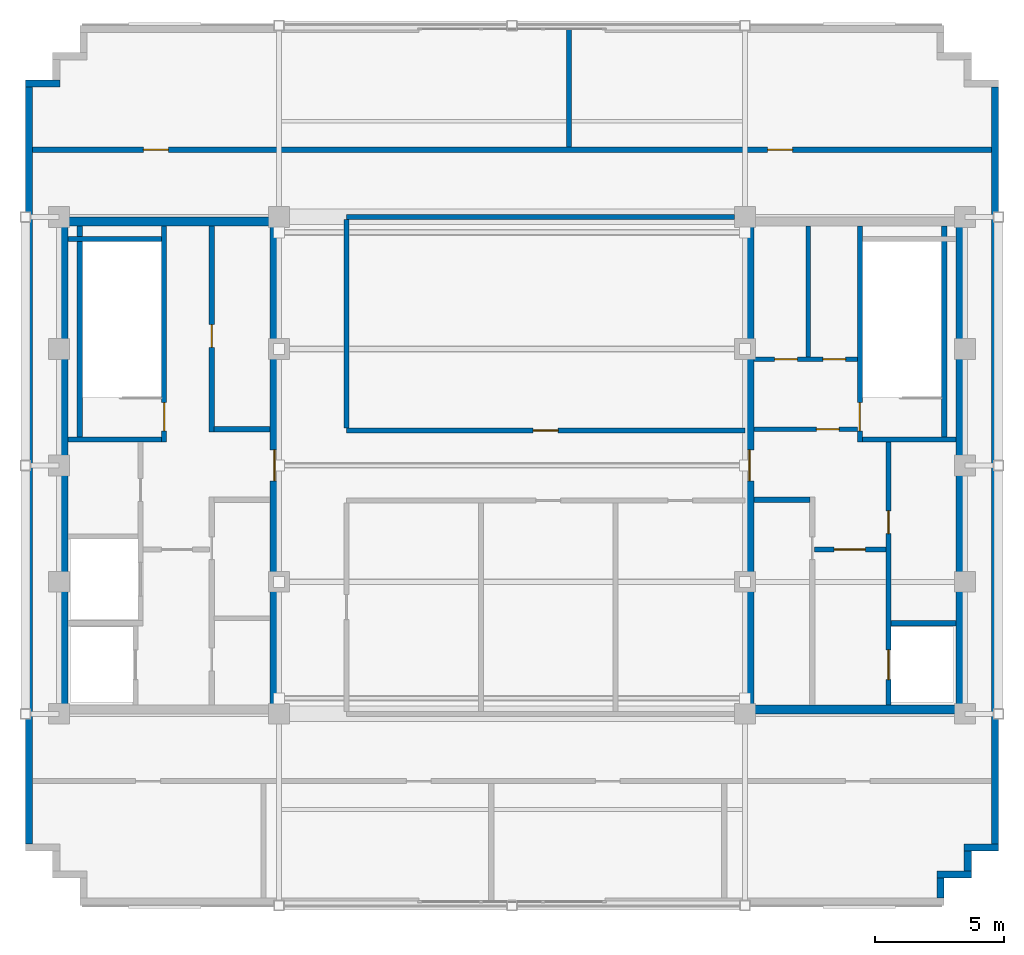
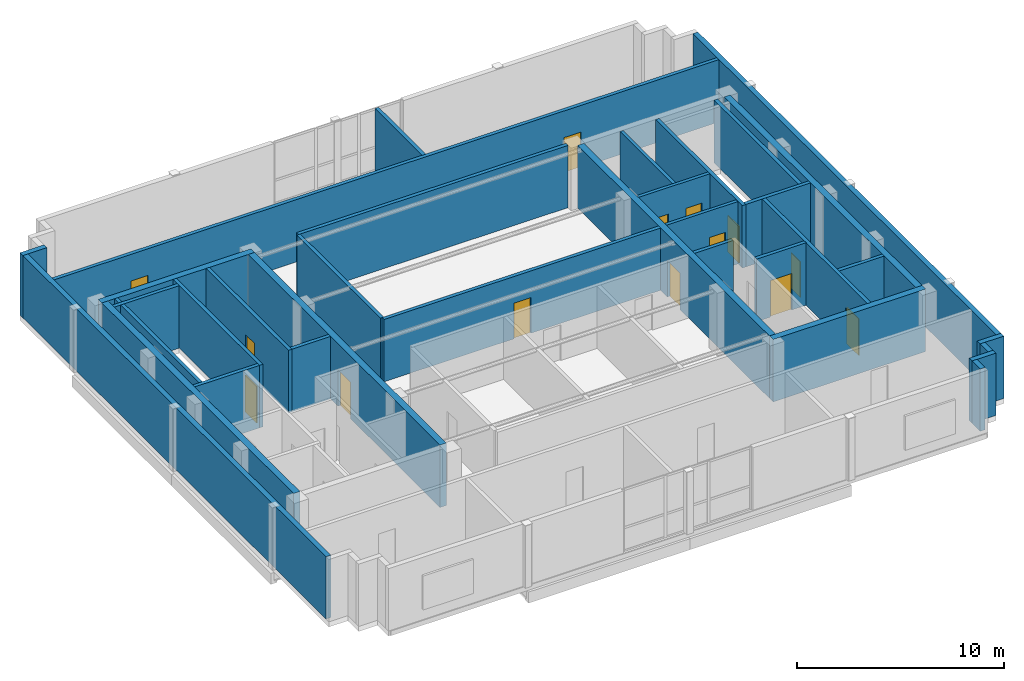
# One storey, part 3 of 7: 34 walls, 14 doors, 14 openings.
"""IFC4 building model written with IfcOpenShell, lengths in metres."""

from ifc_helpers import new_model, si_unit, direction, frame, frame_2d, origin, place, context, subcontext, project, spatial, rectangle, extrude, source, transform, mapped, material, layer, layer_set, type_object, type_shapes, element, fill, save


model = new_model("IFC4")

# Units and contexts
model_context = context("Model", 3, precision=1e-05, world=origin(), true_north=direction((0.0, 1.0)))
body_context = subcontext(model_context, "Body", "Model", "MODEL_VIEW")
ifc_project = project(units=[si_unit("LENGTHUNIT", "METRE"), si_unit("AREAUNIT", "SQUARE_METRE"), si_unit("VOLUMEUNIT", "CUBIC_METRE"), si_unit("PLANEANGLEUNIT", "RADIAN"), si_unit("MASSUNIT", "GRAM", prefix="KILO")], contexts=[model_context])

# Site, building, storey
site_placement = place(None, origin())
site = spatial("IfcSite", under=ifc_project, at=site_placement, CompositionType="ELEMENT")
building_placement = place(site_placement, origin())
building = spatial("IfcBuilding", under=site, at=building_placement, Name="Nuvemarco Arch Tower", CompositionType="ELEMENT")
storey_placement = place(building_placement, frame((0.0, 0.0, 307.14990234375)))
storey = spatial("IfcBuildingStorey", under=building, at=storey_placement, Name="L81", CompositionType="ELEMENT", Elevation=307.14990234375)

# Walls
ifc_material_1 = material(Name="Precast concrete C45/55", Category="concrete")
ifc_layer_1 = layer(ifc_material_1, 0.280029296875, Name="EW-CRN-280")
ifc_layer_set_1 = layer_set([ifc_layer_1], Name="Precast concrete C45/55")
wall_type_1 = type_object("IfcWallType", Name="EW-CRN-280", PredefinedType="STANDARD", material=ifc_layer_set_1)
wall_1_placement = place(storey_placement, frame((16.56005859375, -16.72412109375, 0.0), z_axis=(0.0, 0.0, 1.0), x_axis=(0.0, 1.0, 0.0)))
element("IfcWall", 1, at=wall_1_placement, inside=storey, type_object=wall_type_1, Name="L81 exterior precast facade wall 2", PredefinedType="STANDARD", context=body_context, shape_type="SweptSolid", body=[
    extrude(rectangle(XDim=0.778076171875, YDim=0.280029296875, at=frame_2d((0.38916015625, 0.0))), origin(), (0.0, 0.0, 1.0), 3.670166015625),
])
wall_2_placement = place(storey_placement, frame((16.419921875, -15.81005859375, 0.0), z_axis=(0.0, 0.0, 1.0), x_axis=(1.0, 0.0, 0.0)))
element("IfcWall", 2, at=wall_2_placement, inside=storey, type_object=wall_type_1, Name="L81 exterior precast facade wall 3", PredefinedType="STANDARD", context=body_context, shape_type="SweptSolid", body=[
    extrude(rectangle(XDim=1.330078125, YDim=0.280029296875, at=frame_2d((0.6650390625, 0.0))), origin(), (0.0, 0.0, 1.0), 3.670166015625),
])
wall_3_placement = place(storey_placement, frame((17.610107421875, -15.674072265625, 0.0), z_axis=(0.0, 0.0, 1.0), x_axis=(0.0, 1.0, 0.0)))
element("IfcWall", 3, at=wall_3_placement, inside=storey, type_object=wall_type_1, Name="L81 exterior precast facade wall 4", PredefinedType="STANDARD", context=body_context, shape_type="SweptSolid", body=[
    extrude(rectangle(XDim=0.778076171875, YDim=0.280029296875, at=frame_2d((0.38916015625, 0.0))), origin(), (0.0, 0.0, 1.0), 3.670166015625),
])
wall_4_placement = place(storey_placement, frame((17.469970703125, -14.760009765625, 0.0), z_axis=(0.0, 0.0, 1.0), x_axis=(1.0, 0.0, 0.0)))
element("IfcWall", 4, at=wall_4_placement, inside=storey, type_object=wall_type_1, Name="L81 exterior precast facade wall 5", PredefinedType="STANDARD", context=body_context, shape_type="SweptSolid", body=[
    extrude(rectangle(XDim=1.330078125, YDim=0.280029296875, at=frame_2d((0.6650390625, 0.0))), origin(), (0.0, 0.0, 1.0), 3.670166015625),
])
wall_5_placement = place(storey_placement, frame((18.659912109375, -14.6240234375, 0.0), z_axis=(0.0, 0.0, 1.0), x_axis=(0.0, 1.0, 0.0)))
element("IfcWall", 5, at=wall_5_placement, inside=storey, type_object=wall_type_1, Name="L81 exterior precast facade wall 6", PredefinedType="STANDARD", context=body_context, shape_type="SweptSolid", body=[
    extrude(rectangle(XDim=29.248046875, YDim=0.280029296875, at=frame_2d((14.6240234375, 0.0))), origin(), (0.0, 0.0, 1.0), 3.670166015625),
])
wall_6_placement = place(storey_placement, frame((-18.800048828125, 14.760009765625, 0.0), z_axis=(0.0, 0.0, 1.0), x_axis=(1.0, 0.0, 0.0)))
element("IfcWall", 6, at=wall_6_placement, inside=storey, type_object=wall_type_1, Name="L81 exterior precast facade wall 15", PredefinedType="STANDARD", context=body_context, shape_type="SweptSolid", body=[
    extrude(rectangle(XDim=1.330078125, YDim=0.280029296875, at=frame_2d((0.6650390625, 0.0))), origin(), (0.0, 0.0, 1.0), 3.670166015625),
])
wall_7_placement = place(storey_placement, frame((-18.659912109375, -14.6240234375, 0.0), z_axis=(0.0, 0.0, 1.0), x_axis=(0.0, 1.0, 0.0)))
element("IfcWall", 7, at=wall_7_placement, inside=storey, type_object=wall_type_1, Name="L81 exterior precast facade wall 16", PredefinedType="STANDARD", context=body_context, shape_type="SweptSolid", body=[
    extrude(rectangle(XDim=29.248046875, YDim=0.280029296875, at=frame_2d((14.6240234375, 0.0))), origin(), (0.0, 0.0, 1.0), 3.670166015625),
])
ifc_material_2 = material(Name="Concrete C50/60", Category="concrete")
ifc_layer_2 = layer(ifc_material_2, 0.35009765625, Name="WL-CORE-350")
ifc_layer_set_2 = layer_set([ifc_layer_2], Name="Concrete C50/60")
wall_type_2 = type_object("IfcWallType", Name="WL-CORE-350", PredefinedType="SHEAR", material=ifc_layer_set_2)
wall_8_placement = place(storey_placement, frame((-17.5, 9.425048828125, 0.0), z_axis=(0.0, 0.0, 1.0), x_axis=(1.0, 0.0, 0.0)))
element("IfcWall", 8, at=wall_8_placement, inside=storey, type_object=wall_type_2, Name="L81 W-core shear wall N", PredefinedType="SHEAR", context=body_context, shape_type="SweptSolid", body=[
    extrude(rectangle(XDim=8.5, YDim=0.35009765625, at=frame_2d((4.25, 0.0))), origin(), (0.0, 0.0, 1.0), 3.68017578125),
])
wall_9_placement = place(storey_placement, frame((-17.324951171875, -9.2548828125, 0.0), z_axis=(0.0, 0.0, 1.0), x_axis=(0.0, 1.0, 0.0)))
element("IfcWall", 9, at=wall_9_placement, inside=storey, type_object=wall_type_2, Name="L81 W-core shear wall W", PredefinedType="SHEAR", context=body_context, shape_type="SweptSolid", body=[
    extrude(rectangle(XDim=18.509765625, YDim=0.35009765625, at=frame_2d((9.2548828125, 0.0))), origin(), (0.0, 0.0, 1.0), 3.68017578125),
])

# Wall, opening, door
wall_10_placement = place(storey_placement, frame((-9.175048828125, -9.2548828125, 0.0), z_axis=(0.0, 0.0, 1.0), x_axis=(0.0, 1.0, 0.0)))
wall_10 = element("IfcWall", 10, at=wall_10_placement, inside=storey, type_object=wall_type_2, Name="L81 W-core shear wall E", PredefinedType="SHEAR", context=body_context, shape_type="SweptSolid", body=[
    extrude(rectangle(XDim=18.509765625, YDim=0.35009765625, at=frame_2d((9.2548828125, 0.0))), origin(), (0.0, 0.0, 1.0), 3.68017578125),
])
opening_1_placement = place(wall_10_placement, frame((8.655029296875, 0.0, 0.0)))
opening_1 = element("IfcOpeningElement", 11, at=opening_1_placement, cuts=wall_10, Name="Opening FD-2", PredefinedType="OPENING", context=body_context, shape_type="SweptSolid", body=[
    extrude(rectangle(XDim=1.199951171875, YDim=2.14990234375, at=frame_2d((0.60009765625, 1.074951171875))), frame((0.0, 0.18505859375, 0.0), z_axis=(0.0, -1.0, 0.0), x_axis=(1.0, 0.0, 0.0)), (0.0, 0.0, 1.0), 0.3701171875),
])
ifc_material_3 = material(Name="Anodised steel fire door", Category="steel")
door_type_1 = type_object("IfcDoorType", Name="DR-FFLOB-FD", OperationType="NOTDEFINED", PredefinedType="DOOR", material=ifc_material_3)
shared_shape_1 = source(origin(), body_context, "Body", "SweptSolid", [
    extrude(rectangle(XDim=1.199951171875, YDim=2.14990234375, at=frame_2d((0.60009765625, 1.074951171875))), frame((0.0, 0.02490234375, 0.0), z_axis=(0.0, -1.0, 0.0), x_axis=(1.0, 0.0, 0.0)), (0.0, 0.0, 1.0), 0.050048828125),
])
type_shapes(door_type_1, [shared_shape_1])
door_1_placement = place(opening_1_placement, origin())
door_1 = element("IfcDoor", 12, at=door_1_placement, inside=storey, type_object=door_type_1, Name="L81 door FD-L81-WCORE-E", OperationType="SINGLE_SWING_RIGHT", OverallHeight=2.14990234375, OverallWidth=1.199951171875, PredefinedType="DOOR", context=body_context, shape_type="MappedRepresentation", body=[
    mapped(shared_shape_1, transform((0.0, 0.0, 0.0), scale=1.0)),
])
fill(opening_1, door_1)

# Wall
wall_11_placement = place(storey_placement, frame((9.0, -9.425048828125, 0.0), z_axis=(0.0, 0.0, 1.0), x_axis=(1.0, 0.0, 0.0)))
element("IfcWall", 13, at=wall_11_placement, inside=storey, type_object=wall_type_2, Name="L81 E-core shear wall S", PredefinedType="SHEAR", context=body_context, shape_type="SweptSolid", body=[
    extrude(rectangle(XDim=8.5, YDim=0.35009765625, at=frame_2d((4.25, 0.0))), origin(), (0.0, 0.0, 1.0), 3.68017578125),
])

# Wall, opening, door
wall_12_placement = place(storey_placement, frame((9.175048828125, -9.2548828125, 0.0), z_axis=(0.0, 0.0, 1.0), x_axis=(0.0, 1.0, 0.0)))
wall_12 = element("IfcWall", 14, at=wall_12_placement, inside=storey, type_object=wall_type_2, Name="L81 E-core shear wall W", PredefinedType="SHEAR", context=body_context, shape_type="SweptSolid", body=[
    extrude(rectangle(XDim=18.509765625, YDim=0.35009765625, at=frame_2d((9.2548828125, 0.0))), origin(), (0.0, 0.0, 1.0), 3.68017578125),
])
opening_2_placement = place(wall_12_placement, frame((8.655029296875, 0.0, 0.0)))
opening_2 = element("IfcOpeningElement", 15, at=opening_2_placement, cuts=wall_12, Name="Opening FD-2", PredefinedType="OPENING", context=body_context, shape_type="SweptSolid", body=[
    extrude(rectangle(XDim=1.199951171875, YDim=2.14990234375, at=frame_2d((0.60009765625, 1.074951171875))), frame((0.0, 0.18505859375, 0.0), z_axis=(0.0, -1.0, 0.0), x_axis=(1.0, 0.0, 0.0)), (0.0, 0.0, 1.0), 0.3701171875),
])
door_2_placement = place(opening_2_placement, origin())
door_2 = element("IfcDoor", 16, at=door_2_placement, inside=storey, type_object=door_type_1, Name="L81 door FD-L81-ECORE-W", OperationType="SINGLE_SWING_LEFT", OverallHeight=2.14990234375, OverallWidth=1.199951171875, PredefinedType="DOOR", context=body_context, shape_type="MappedRepresentation", body=[
    mapped(shared_shape_1, transform((0.0, 0.0, 0.0), scale=1.0)),
])
fill(opening_2, door_2)

# Wall
wall_13_placement = place(storey_placement, frame((17.324951171875, -9.2548828125, 0.0), z_axis=(0.0, 0.0, 1.0), x_axis=(0.0, 1.0, 0.0)))
element("IfcWall", 17, at=wall_13_placement, inside=storey, type_object=wall_type_2, Name="L81 E-core shear wall E", PredefinedType="SHEAR", context=body_context, shape_type="SweptSolid", body=[
    extrude(rectangle(XDim=18.509765625, YDim=0.35009765625, at=frame_2d((9.2548828125, 0.0))), origin(), (0.0, 0.0, 1.0), 3.68017578125),
])

# Wall, opening, door
ifc_material_4 = material(Name="Fire-rated gypsum drywall partition")
ifc_layer_3 = layer(ifc_material_4, 0.179931640625, Name="WL-CORR-180")
ifc_layer_set_3 = layer_set([ifc_layer_3], Name="Fire-rated gypsum drywall partition")
wall_type_3 = type_object("IfcWallType", Name="WL-CORR-180", PredefinedType="PARTITIONING", material=ifc_layer_set_3)
wall_14_placement = place(storey_placement, frame((9.344970703125, 1.39990234375, 0.0), z_axis=(0.0, 0.0, 1.0), x_axis=(1.0, 0.0, 0.0)))
wall_14 = element("IfcWall", 18, at=wall_14_placement, inside=storey, type_object=wall_type_3, Name="L81 interior wall IW-L81-EK-S", PredefinedType="PARTITIONING", context=body_context, shape_type="SweptSolid", body=[
    extrude(rectangle(XDim=4.0, YDim=0.179931640625, at=frame_2d((2.0, 0.0))), origin(), (0.0, 0.0, 1.0), 3.670166015625),
])
opening_3_placement = place(wall_14_placement, frame((2.4150390625, 0.0, 0.0)))
opening_3 = element("IfcOpeningElement", 19, at=opening_3_placement, cuts=wall_14, Name="Opening FD-4", PredefinedType="OPENING", context=body_context, shape_type="SweptSolid", body=[
    extrude(rectangle(XDim=0.8798828125, YDim=2.10009765625, at=frame_2d((0.43994140625, 1.050048828125))), frame((0.0, 0.099853515625, 0.0), z_axis=(0.0, -1.0, 0.0), x_axis=(1.0, 0.0, 0.0)), (0.0, 0.0, 1.0), 0.199951171875),
])
door_type_2 = type_object("IfcDoorType", Name="DR-RISER-FD", OperationType="NOTDEFINED", PredefinedType="DOOR", material=ifc_material_3)
shared_shape_2 = source(origin(), body_context, "Body", "SweptSolid", [
    extrude(rectangle(XDim=0.8798828125, YDim=2.10009765625, at=frame_2d((0.43994140625, 1.050048828125))), frame((0.0, 0.02490234375, 0.0), z_axis=(0.0, -1.0, 0.0), x_axis=(1.0, 0.0, 0.0)), (0.0, 0.0, 1.0), 0.050048828125),
])
type_shapes(door_type_2, [shared_shape_2])
door_3_placement = place(opening_3_placement, origin())
door_3 = element("IfcDoor", 20, at=door_3_placement, inside=storey, type_object=door_type_2, Name="L81 door FD-L81-EK3A", OperationType="SINGLE_SWING_RIGHT", OverallHeight=2.10009765625, OverallWidth=0.8798828125, PredefinedType="DOOR", context=body_context, shape_type="MappedRepresentation", body=[
    mapped(shared_shape_2, transform((0.0, 0.0, 0.0), scale=1.0)),
])
fill(opening_3, door_3)

# Wall, openings, doors
wall_15_placement = place(storey_placement, frame((9.344970703125, 4.10009765625, 0.0), z_axis=(0.0, 0.0, 1.0), x_axis=(1.0, 0.0, 0.0)))
wall_15 = element("IfcWall", 21, at=wall_15_placement, inside=storey, type_object=wall_type_3, Name="L81 interior wall IW-L81-EK3H", PredefinedType="PARTITIONING", context=body_context, shape_type="SweptSolid", body=[
    extrude(rectangle(XDim=4.0, YDim=0.179931640625, at=frame_2d((2.0, 0.0))), origin(), (0.0, 0.0, 1.0), 3.670166015625),
])
opening_4_placement = place(wall_15_placement, frame((0.800048828125, 0.0, 0.0)))
opening_4 = element("IfcOpeningElement", 22, at=opening_4_placement, cuts=wall_15, Name="Opening FD-4", PredefinedType="OPENING", context=body_context, shape_type="SweptSolid", body=[
    extrude(rectangle(XDim=0.8798828125, YDim=2.10009765625, at=frame_2d((0.43994140625, 1.050048828125))), frame((0.0, 0.099853515625, 0.0), z_axis=(0.0, -1.0, 0.0), x_axis=(1.0, 0.0, 0.0)), (0.0, 0.0, 1.0), 0.199951171875),
])
opening_5_placement = place(wall_15_placement, frame((2.6650390625, 0.0, 0.0)))
opening_5 = element("IfcOpeningElement", 23, at=opening_5_placement, cuts=wall_15, Name="Opening FD-4", PredefinedType="OPENING", context=body_context, shape_type="SweptSolid", body=[
    extrude(rectangle(XDim=0.8798828125, YDim=2.10009765625, at=frame_2d((0.43994140625, 1.050048828125))), frame((0.0, 0.099853515625, 0.0), z_axis=(0.0, -1.0, 0.0), x_axis=(1.0, 0.0, 0.0)), (0.0, 0.0, 1.0), 0.199951171875),
])
door_4_placement = place(opening_4_placement, origin())
door_4 = element("IfcDoor", 24, at=door_4_placement, inside=storey, type_object=door_type_2, Name="L81 door FD-L81-EK3B", OperationType="SINGLE_SWING_LEFT", OverallHeight=2.10009765625, OverallWidth=0.8798828125, PredefinedType="DOOR", context=body_context, shape_type="MappedRepresentation", body=[
    mapped(shared_shape_2, transform((0.0, 0.0, 0.0), scale=1.0)),
])
fill(opening_4, door_4)
door_5_placement = place(opening_5_placement, origin())
door_5 = element("IfcDoor", 25, at=door_5_placement, inside=storey, type_object=door_type_2, Name="L81 door FD-L81-EK3C", OperationType="SINGLE_SWING_RIGHT", OverallHeight=2.10009765625, OverallWidth=0.8798828125, PredefinedType="DOOR", context=body_context, shape_type="MappedRepresentation", body=[
    mapped(shared_shape_2, transform((0.0, 0.0, 0.0), scale=1.0)),
])
fill(opening_5, door_5)

# Wall
wall_16_placement = place(storey_placement, frame((11.449951171875, 4.18994140625, 0.0), z_axis=(0.0, 0.0, 1.0), x_axis=(0.0, 1.0, 0.0)))
element("IfcWall", 26, at=wall_16_placement, inside=storey, type_object=wall_type_3, Name="L81 interior wall IW-L81-EK3V", PredefinedType="PARTITIONING", context=body_context, shape_type="SweptSolid", body=[
    extrude(rectangle(XDim=5.06494140625, YDim=0.179931640625, at=frame_2d((2.532470703125, 0.0))), origin(), (0.0, 0.0, 1.0), 3.670166015625),
])

# Wall, opening, door
ifc_layer_4 = layer(ifc_material_1, 0.199951171875, Name="WL-PLANT-200")
ifc_layer_set_4 = layer_set([ifc_layer_4], Name="Precast concrete C45/55")
wall_type_4 = type_object("IfcWallType", Name="WL-PLANT-200", PredefinedType="STANDARD", material=ifc_layer_set_4)
wall_17_placement = place(storey_placement, frame((-6.39990234375, 1.35009765625, 0.0), z_axis=(0.0, 0.0, 1.0), x_axis=(1.0, 0.0, 0.0)))
wall_17 = element("IfcWall", 27, at=wall_17_placement, inside=storey, type_object=wall_type_4, Name="L81 interior wall IW-L81-004", PredefinedType="STANDARD", context=body_context, shape_type="SweptSolid", body=[
    extrude(rectangle(XDim=15.39990234375, YDim=0.199951171875, at=frame_2d((7.699951171875, 0.0))), origin(), (0.0, 0.0, 1.0), 3.670166015625),
])
opening_6_placement = place(wall_17_placement, frame((7.219970703125, 0.0, 0.0)))
opening_6 = element("IfcOpeningElement", 28, at=opening_6_placement, cuts=wall_17, Name="Opening FD-5", PredefinedType="OPENING", context=body_context, shape_type="SweptSolid", body=[
    extrude(rectangle(XDim=0.9599609375, YDim=2.10009765625, at=frame_2d((0.47998046875, 1.050048828125))), frame((0.0, 0.10986328125, 0.0), z_axis=(0.0, -1.0, 0.0), x_axis=(1.0, 0.0, 0.0)), (0.0, 0.0, 1.0), 0.219970703125),
])
ifc_material_5 = material(Name="Timber fire door", Category="wood")
door_type_3 = type_object("IfcDoorType", Name="DR-CORR-FD", OperationType="NOTDEFINED", PredefinedType="DOOR", material=ifc_material_5)
shared_shape_3 = source(origin(), body_context, "Body", "SweptSolid", [
    extrude(rectangle(XDim=0.9599609375, YDim=2.10009765625, at=frame_2d((0.47998046875, 1.050048828125))), frame((0.0, 0.02490234375, 0.0), z_axis=(0.0, -1.0, 0.0), x_axis=(1.0, 0.0, 0.0)), (0.0, 0.0, 1.0), 0.050048828125),
])
type_shapes(door_type_3, [shared_shape_3])
door_6_placement = place(opening_6_placement, origin())
door_6 = element("IfcDoor", 29, at=door_6_placement, inside=storey, type_object=door_type_3, Name="L81 door DR-L81-CRN_PUMP", OperationType="SINGLE_SWING_RIGHT", OverallHeight=2.10009765625, OverallWidth=0.9599609375, PredefinedType="DOOR", context=body_context, shape_type="MappedRepresentation", body=[
    mapped(shared_shape_3, transform((0.0, 0.0, 0.0), scale=1.0)),
])
fill(opening_6, door_6)

# Wall
wall_18_placement = place(storey_placement, frame((-6.39990234375, 9.60009765625, 0.0), z_axis=(0.0, 0.0, 1.0), x_axis=(1.0, 0.0, 0.0)))
element("IfcWall", 30, at=wall_18_placement, inside=storey, type_object=wall_type_4, Name="L81 interior wall IW-L81-005", PredefinedType="STANDARD", context=body_context, shape_type="SweptSolid", body=[
    extrude(rectangle(XDim=15.00390625, YDim=0.199951171875, at=frame_2d((7.501953125, 0.0))), origin(), (0.0, 0.0, 1.0), 3.670166015625),
])

# Wall, openings, doors
wall_19_placement = place(storey_placement, frame((-18.52001953125, 12.199951171875, 0.0), z_axis=(0.0, 0.0, 1.0), x_axis=(1.0, 0.0, 0.0)))
wall_19 = element("IfcWall", 31, at=wall_19_placement, inside=storey, type_object=wall_type_4, Name="L81 interior wall IW-L81-006", PredefinedType="STANDARD", context=body_context, shape_type="SweptSolid", body=[
    extrude(rectangle(XDim=37.0400390625, YDim=0.199951171875, at=frame_2d((18.52001953125, 0.0))), origin(), (0.0, 0.0, 1.0), 3.670166015625),
])
opening_7_placement = place(wall_19_placement, frame((28.39990234375, 0.0, 0.0)))
opening_7 = element("IfcOpeningElement", 32, at=opening_7_placement, cuts=wall_19, Name="Opening FD-5", PredefinedType="OPENING", context=body_context, shape_type="SweptSolid", body=[
    extrude(rectangle(XDim=0.9599609375, YDim=2.10009765625, at=frame_2d((0.47998046875, 1.050048828125))), frame((0.0, 0.10986328125, 0.0), z_axis=(0.0, -1.0, 0.0), x_axis=(1.0, 0.0, 0.0)), (0.0, 0.0, 1.0), 0.219970703125),
])
opening_8_placement = place(wall_19_placement, frame((4.280029296875, 0.0, 0.0)))
opening_8 = element("IfcOpeningElement", 33, at=opening_8_placement, cuts=wall_19, Name="Opening FD-5", PredefinedType="OPENING", context=body_context, shape_type="SweptSolid", body=[
    extrude(rectangle(XDim=0.9599609375, YDim=2.10009765625, at=frame_2d((0.47998046875, 1.050048828125))), frame((0.0, 0.10986328125, 0.0), z_axis=(0.0, -1.0, 0.0), x_axis=(1.0, 0.0, 0.0)), (0.0, 0.0, 1.0), 0.219970703125),
])
door_7_placement = place(opening_7_placement, origin())
door_7 = element("IfcDoor", 34, at=door_7_placement, inside=storey, type_object=door_type_3, Name="L81 door DR-L81-CRN_LMR", OperationType="SINGLE_SWING_LEFT", OverallHeight=2.10009765625, OverallWidth=0.9599609375, PredefinedType="DOOR", context=body_context, shape_type="MappedRepresentation", body=[
    mapped(shared_shape_3, transform((0.0, 0.0, 0.0), scale=1.0)),
])
fill(opening_7, door_7)
door_8_placement = place(opening_8_placement, origin())
door_8 = element("IfcDoor", 35, at=door_8_placement, inside=storey, type_object=door_type_3, Name="L81 door DR-L81-CRN_TMD", OperationType="SINGLE_SWING_RIGHT", OverallHeight=2.10009765625, OverallWidth=0.9599609375, PredefinedType="DOOR", context=body_context, shape_type="MappedRepresentation", body=[
    mapped(shared_shape_3, transform((0.0, 0.0, 0.0), scale=1.0)),
])
fill(opening_8, door_8)

# Walls
wall_20_placement = place(storey_placement, frame((-6.39990234375, 1.446044921875, 0.0), z_axis=(0.0, 0.0, 1.0), x_axis=(0.0, 1.0, 0.0)))
element("IfcWall", 36, at=wall_20_placement, inside=storey, type_object=wall_type_4, Name="L81 interior wall IW-L81-009", PredefinedType="STANDARD", context=body_context, shape_type="SweptSolid", body=[
    extrude(rectangle(XDim=8.057861328125, YDim=0.199951171875, at=frame_2d((4.02880859375, 0.0))), origin(), (0.0, 0.0, 1.0), 3.670166015625),
])
wall_21_placement = place(storey_placement, frame((2.199951171875, 12.2958984375, 0.0), z_axis=(0.0, 0.0, 1.0), x_axis=(0.0, 1.0, 0.0)))
element("IfcWall", 37, at=wall_21_placement, inside=storey, type_object=wall_type_4, Name="L81 interior wall IW-L81-012", PredefinedType="STANDARD", context=body_context, shape_type="SweptSolid", body=[
    extrude(rectangle(XDim=4.549072265625, YDim=0.199951171875, at=frame_2d((2.2744140625, 0.0))), origin(), (0.0, 0.0, 1.0), 3.670166015625),
])

# Wall, opening, door
ifc_layer_5 = layer(ifc_material_2, 0.199951171875, Name="WL-SHAFT-220")
ifc_layer_set_5 = layer_set([ifc_layer_5], Name="Concrete C50/60")
wall_type_5 = type_object("IfcWallType", Name="WL-SHAFT-220", PredefinedType="SHEAR", material=ifc_layer_set_5)
wall_22_placement = place(storey_placement, frame((-13.43994140625, 0.89990234375, 0.0), z_axis=(0.0, 0.0, 1.0), x_axis=(0.0, 1.0, 0.0)))
wall_22 = element("IfcWall", 38, at=wall_22_placement, inside=storey, type_object=wall_type_5, Name="L81 structural shaft wall SW-L81-W-ST1E", PredefinedType="SHEAR", context=body_context, shape_type="SweptSolid", body=[
    extrude(rectangle(XDim=8.35498046875, YDim=0.199951171875, at=frame_2d((4.177490234375, 0.0))), origin(), (0.0, 0.0, 1.0), 3.68017578125),
])
opening_9_placement = place(wall_22_placement, frame((1.530029296875, 0.0, 0.0), z_axis=(0.0, 0.0, 1.0), x_axis=(-1.0, 0.0, 0.0)))
opening_9 = element("IfcOpeningElement", 39, at=opening_9_placement, cuts=wall_22, Name="Opening FD-1", PredefinedType="OPENING", context=body_context, shape_type="SweptSolid", body=[
    extrude(rectangle(XDim=1.10009765625, YDim=2.14990234375, at=frame_2d((0.550048828125, 1.074951171875))), frame((0.0, 0.10986328125, 0.0), z_axis=(0.0, -1.0, 0.0), x_axis=(1.0, 0.0, 0.0)), (0.0, 0.0, 1.0), 0.219970703125),
])
door_type_4 = type_object("IfcDoorType", Name="DR-STAIR-FD", OperationType="NOTDEFINED", PredefinedType="DOOR", material=ifc_material_3)
shared_shape_4 = source(origin(), body_context, "Body", "SweptSolid", [
    extrude(rectangle(XDim=1.10009765625, YDim=2.14990234375, at=frame_2d((0.550048828125, 1.074951171875))), frame((0.0, 0.02490234375, 0.0), z_axis=(0.0, -1.0, 0.0), x_axis=(1.0, 0.0, 0.0)), (0.0, 0.0, 1.0), 0.050048828125),
])
type_shapes(door_type_4, [shared_shape_4])
door_9_placement = place(opening_9_placement, origin())
door_9 = element("IfcDoor", 40, at=door_9_placement, inside=storey, type_object=door_type_4, Name="L81 door FD-L81-ST1", OperationType="SINGLE_SWING_RIGHT", OverallHeight=2.14990234375, OverallWidth=1.10009765625, PredefinedType="DOOR", context=body_context, shape_type="MappedRepresentation", body=[
    mapped(shared_shape_4, transform((0.0, 0.0, 0.0), scale=1.0)),
])
fill(opening_9, door_9)

# Walls
for number, where, z_axis, x_axis, name in (
    (41, (-17.155029296875, 1.0, 0.0), (0.0, 0.0, 1.0), (1.0, 0.0, 0.0), "L81 structural shaft wall SW-L81-W-ST1S"),
    (42, (-17.155029296875, 8.75, 0.0), (0.0, 0.0, 1.0), (1.0, 0.0, 0.0), "L81 structural shaft wall SW-L81-W-ST1N"),
):
    element("IfcWall", number, at=place(storey_placement, frame(where, z_axis=z_axis, x_axis=x_axis)), inside=storey, type_object=wall_type_5, Name=name, PredefinedType="SHEAR", context=body_context, shape_type="SweptSolid", body=[
        extrude(rectangle(XDim=3.6201171875, YDim=0.199951171875, at=frame_2d((1.81005859375, 0.0))), origin(), (0.0, 0.0, 1.0), 3.68017578125),
    ])
wall_23_placement = place(storey_placement, frame((-16.699951171875, 1.094970703125, 0.0), z_axis=(0.0, 0.0, 1.0), x_axis=(0.0, 1.0, 0.0)))
element("IfcWall", 43, at=wall_23_placement, inside=storey, type_object=wall_type_5, Name="L81 structural shaft wall SW-L81-W-ST1W", PredefinedType="SHEAR", context=body_context, shape_type="SweptSolid", body=[
    extrude(rectangle(XDim=8.159912109375, YDim=0.199951171875, at=frame_2d((4.080078125, 0.0))), origin(), (0.0, 0.0, 1.0), 3.68017578125),
])

# Wall, opening, door
wall_24_placement = place(storey_placement, frame((-11.60009765625, 1.300048828125, 0.0), z_axis=(0.0, 0.0, 1.0), x_axis=(0.0, 1.0, 0.0)))
wall_24 = element("IfcWall", 44, at=wall_24_placement, inside=storey, type_object=wall_type_5, Name="L81 structural shaft wall SW-L81-W-PHW", PredefinedType="SHEAR", context=body_context, shape_type="SweptSolid", body=[
    extrude(rectangle(XDim=7.954833984375, YDim=0.199951171875, at=frame_2d((3.9775390625, 0.0))), origin(), (0.0, 0.0, 1.0), 3.68017578125),
])
opening_10_placement = place(wall_24_placement, frame((3.260009765625, 0.0, 0.0)))
opening_10 = element("IfcOpeningElement", 45, at=opening_10_placement, cuts=wall_24, Name="Opening FD-4", PredefinedType="OPENING", context=body_context, shape_type="SweptSolid", body=[
    extrude(rectangle(XDim=0.8798828125, YDim=2.10009765625, at=frame_2d((0.43994140625, 1.050048828125))), frame((0.0, 0.10986328125, 0.0), z_axis=(0.0, -1.0, 0.0), x_axis=(1.0, 0.0, 0.0)), (0.0, 0.0, 1.0), 0.219970703125),
])
door_10_placement = place(opening_10_placement, origin())
door_10 = element("IfcDoor", 46, at=door_10_placement, inside=storey, type_object=door_type_2, Name="L81 door FD-L81-WRECPH", OperationType="SINGLE_SWING_LEFT", OverallHeight=2.10009765625, OverallWidth=0.8798828125, PredefinedType="DOOR", context=body_context, shape_type="MappedRepresentation", body=[
    mapped(shared_shape_2, transform((0.0, 0.0, 0.0), scale=1.0)),
])
fill(opening_10, door_10)

# Wall
wall_25_placement = place(storey_placement, frame((-11.5048828125, 1.39990234375, 0.0), z_axis=(0.0, 0.0, 1.0), x_axis=(1.0, 0.0, 0.0)))
element("IfcWall", 47, at=wall_25_placement, inside=storey, type_object=wall_type_5, Name="L81 structural shaft wall SW-L81-W-PHBOT", PredefinedType="SHEAR", context=body_context, shape_type="SweptSolid", body=[
    extrude(rectangle(XDim=2.159912109375, YDim=0.199951171875, at=frame_2d((1.080078125, 0.0))), origin(), (0.0, 0.0, 1.0), 3.68017578125),
])

# Wall, opening, door
wall_26_placement = place(storey_placement, frame((13.43994140625, 0.89990234375, 0.0), z_axis=(0.0, 0.0, 1.0), x_axis=(0.0, 1.0, 0.0)))
wall_26 = element("IfcWall", 48, at=wall_26_placement, inside=storey, type_object=wall_type_5, Name="L81 structural shaft wall SW-L81-E-ST2W", PredefinedType="SHEAR", context=body_context, shape_type="SweptSolid", body=[
    extrude(rectangle(XDim=8.35498046875, YDim=0.199951171875, at=frame_2d((4.177490234375, 0.0))), origin(), (0.0, 0.0, 1.0), 3.68017578125),
])
opening_11_placement = place(wall_26_placement, frame((0.429931640625, 0.0, 0.0)))
opening_11 = element("IfcOpeningElement", 49, at=opening_11_placement, cuts=wall_26, Name="Opening FD-1", PredefinedType="OPENING", context=body_context, shape_type="SweptSolid", body=[
    extrude(rectangle(XDim=1.10009765625, YDim=2.14990234375, at=frame_2d((0.550048828125, 1.074951171875))), frame((0.0, 0.10986328125, 0.0), z_axis=(0.0, -1.0, 0.0), x_axis=(1.0, 0.0, 0.0)), (0.0, 0.0, 1.0), 0.219970703125),
])
door_11_placement = place(opening_11_placement, origin())
door_11 = element("IfcDoor", 50, at=door_11_placement, inside=storey, type_object=door_type_4, Name="L81 door FD-L81-ST2", OperationType="SINGLE_SWING_LEFT", OverallHeight=2.14990234375, OverallWidth=1.10009765625, PredefinedType="DOOR", context=body_context, shape_type="MappedRepresentation", body=[
    mapped(shared_shape_4, transform((0.0, 0.0, 0.0), scale=1.0)),
])
fill(opening_11, door_11)

# Walls
wall_27_placement = place(storey_placement, frame((13.534912109375, 1.0, 0.0), z_axis=(0.0, 0.0, 1.0), x_axis=(1.0, 0.0, 0.0)))
element("IfcWall", 51, at=wall_27_placement, inside=storey, type_object=wall_type_5, Name="L81 structural shaft wall SW-L81-E-ST2S", PredefinedType="SHEAR", context=body_context, shape_type="SweptSolid", body=[
    extrude(rectangle(XDim=3.6201171875, YDim=0.199951171875, at=frame_2d((1.81005859375, 0.0))), origin(), (0.0, 0.0, 1.0), 3.68017578125),
])
wall_28_placement = place(storey_placement, frame((16.699951171875, 1.094970703125, 0.0), z_axis=(0.0, 0.0, 1.0), x_axis=(0.0, 1.0, 0.0)))
element("IfcWall", 52, at=wall_28_placement, inside=storey, type_object=wall_type_5, Name="L81 structural shaft wall SW-L81-E-ST2E", PredefinedType="SHEAR", context=body_context, shape_type="SweptSolid", body=[
    extrude(rectangle(XDim=8.159912109375, YDim=0.199951171875, at=frame_2d((4.080078125, 0.0))), origin(), (0.0, 0.0, 1.0), 3.68017578125),
])

# Wall, openings, doors
wall_29_placement = place(storey_placement, frame((14.550048828125, -9.2548828125, 0.0), z_axis=(0.0, 0.0, 1.0), x_axis=(0.0, 1.0, 0.0)))
wall_29 = element("IfcWall", 53, at=wall_29_placement, inside=storey, type_object=wall_type_5, Name="L81 structural shaft wall SW-L81-E-SHW", PredefinedType="SHEAR", context=body_context, shape_type="SweptSolid", body=[
    extrude(rectangle(XDim=10.159912109375, YDim=0.199951171875, at=frame_2d((5.080078125, 0.0))), origin(), (0.0, 0.0, 1.0), 3.68017578125),
])
opening_12_placement = place(wall_29_placement, frame((6.614990234375, 0.0, 0.0)))
opening_12 = element("IfcOpeningElement", 54, at=opening_12_placement, cuts=wall_29, Name="Opening FD-4", PredefinedType="OPENING", context=body_context, shape_type="SweptSolid", body=[
    extrude(rectangle(XDim=0.8798828125, YDim=2.10009765625, at=frame_2d((0.43994140625, 1.050048828125))), frame((0.0, 0.10986328125, 0.0), z_axis=(0.0, -1.0, 0.0), x_axis=(1.0, 0.0, 0.0)), (0.0, 0.0, 1.0), 0.219970703125),
])
opening_13_placement = place(wall_29_placement, frame((0.97998046875, 0.0, 0.0)))
opening_13 = element("IfcOpeningElement", 55, at=opening_13_placement, cuts=wall_29, Name="Opening LD-2", PredefinedType="OPENING", context=body_context, shape_type="SweptSolid", body=[
    extrude(rectangle(XDim=1.14990234375, YDim=2.14990234375, at=frame_2d((0.574951171875, 1.074951171875))), frame((0.0, 0.10986328125, 0.0), z_axis=(0.0, -1.0, 0.0), x_axis=(1.0, 0.0, 0.0)), (0.0, 0.0, 1.0), 0.219970703125),
])
door_12_placement = place(opening_12_placement, origin())
door_12 = element("IfcDoor", 56, at=door_12_placement, inside=storey, type_object=door_type_2, Name="L81 door FD-L81-ERIS", OperationType="SINGLE_SWING_LEFT", OverallHeight=2.10009765625, OverallWidth=0.8798828125, PredefinedType="DOOR", context=body_context, shape_type="MappedRepresentation", body=[
    mapped(shared_shape_2, transform((0.0, 0.0, 0.0), scale=1.0)),
])
fill(opening_12, door_12)
ifc_material_6 = material(Name="Stainless steel lift door", Category="steel")
door_type_5 = type_object("IfcDoorType", Name="DR-LIFT-FIRE", OperationType="DOUBLE_DOOR_SLIDING", PredefinedType="DOOR", material=ifc_material_6)
shared_shape_5 = source(origin(), body_context, "Body", "SweptSolid", [
    extrude(rectangle(XDim=1.14990234375, YDim=2.14990234375, at=frame_2d((0.574951171875, 1.074951171875))), frame((0.0, 0.02490234375, 0.0), z_axis=(0.0, -1.0, 0.0), x_axis=(1.0, 0.0, 0.0)), (0.0, 0.0, 1.0), 0.050048828125),
])
type_shapes(door_type_5, [shared_shape_5])
door_13_placement = place(opening_13_placement, origin())
door_13 = element("IfcDoor", 57, at=door_13_placement, inside=storey, type_object=door_type_5, Name="L81 Lift landing sliding door FFL-2", OperationType="DOUBLE_DOOR_SLIDING", OverallHeight=2.14990234375, OverallWidth=1.14990234375, PredefinedType="DOOR", context=body_context, shape_type="MappedRepresentation", body=[
    mapped(shared_shape_5, transform((0.0, 0.0, 0.0), scale=1.0)),
])
fill(opening_13, door_13)

# Wall
wall_30_placement = place(storey_placement, frame((14.64501953125, -6.10009765625, 0.0), z_axis=(0.0, 0.0, 1.0), x_axis=(1.0, 0.0, 0.0)))
element("IfcWall", 58, at=wall_30_placement, inside=storey, type_object=wall_type_5, Name="L81 structural shaft wall SW-L81-E-SH1", PredefinedType="SHEAR", context=body_context, shape_type="SweptSolid", body=[
    extrude(rectangle(XDim=2.510009765625, YDim=0.199951171875, at=frame_2d((1.2548828125, 0.0))), origin(), (0.0, 0.0, 1.0), 3.68017578125),
])

# Wall, opening, door
wall_31_placement = place(storey_placement, frame((11.695068359375, -3.25, 0.0), z_axis=(0.0, 0.0, 1.0), x_axis=(1.0, 0.0, 0.0)))
wall_31 = element("IfcWall", 59, at=wall_31_placement, inside=storey, type_object=wall_type_5, Name="L81 structural shaft wall SW-L81-E-FFN", PredefinedType="SHEAR", context=body_context, shape_type="SweptSolid", body=[
    extrude(rectangle(XDim=2.760009765625, YDim=0.199951171875, at=frame_2d((1.3798828125, 0.0))), origin(), (0.0, 0.0, 1.0), 3.68017578125),
])
opening_14_placement = place(wall_31_placement, frame((0.7548828125, 0.0, 0.0)))
opening_14 = element("IfcOpeningElement", 60, at=opening_14_placement, cuts=wall_31, Name="Opening FD-2", PredefinedType="OPENING", context=body_context, shape_type="SweptSolid", body=[
    extrude(rectangle(XDim=1.199951171875, YDim=2.14990234375, at=frame_2d((0.60009765625, 1.074951171875))), frame((0.0, 0.10986328125, 0.0), z_axis=(0.0, -1.0, 0.0), x_axis=(1.0, 0.0, 0.0)), (0.0, 0.0, 1.0), 0.219970703125),
])
door_14_placement = place(opening_14_placement, origin())
door_14 = element("IfcDoor", 61, at=door_14_placement, inside=storey, type_object=door_type_1, Name="L81 door FD-L81-EFF2", OperationType="SINGLE_SWING_LEFT", OverallHeight=2.14990234375, OverallWidth=1.199951171875, PredefinedType="DOOR", context=body_context, shape_type="MappedRepresentation", body=[
    mapped(shared_shape_1, transform((0.0, 0.0, 0.0), scale=1.0)),
])
fill(opening_14, door_14)

# Wall
wall_32_placement = place(storey_placement, frame((9.344970703125, -1.330078125, 0.0), z_axis=(0.0, 0.0, 1.0), x_axis=(1.0, 0.0, 0.0)))
element("IfcWall", 62, at=wall_32_placement, inside=storey, type_object=wall_type_5, Name="L81 structural shaft wall SW-L81-E-PMTOP", PredefinedType="SHEAR", context=body_context, shape_type="SweptSolid", body=[
    extrude(rectangle(XDim=2.159912109375, YDim=0.199951171875, at=frame_2d((1.080078125, 0.0))), origin(), (0.0, 0.0, 1.0), 3.68017578125),
])

save(model, "model.ifc")
